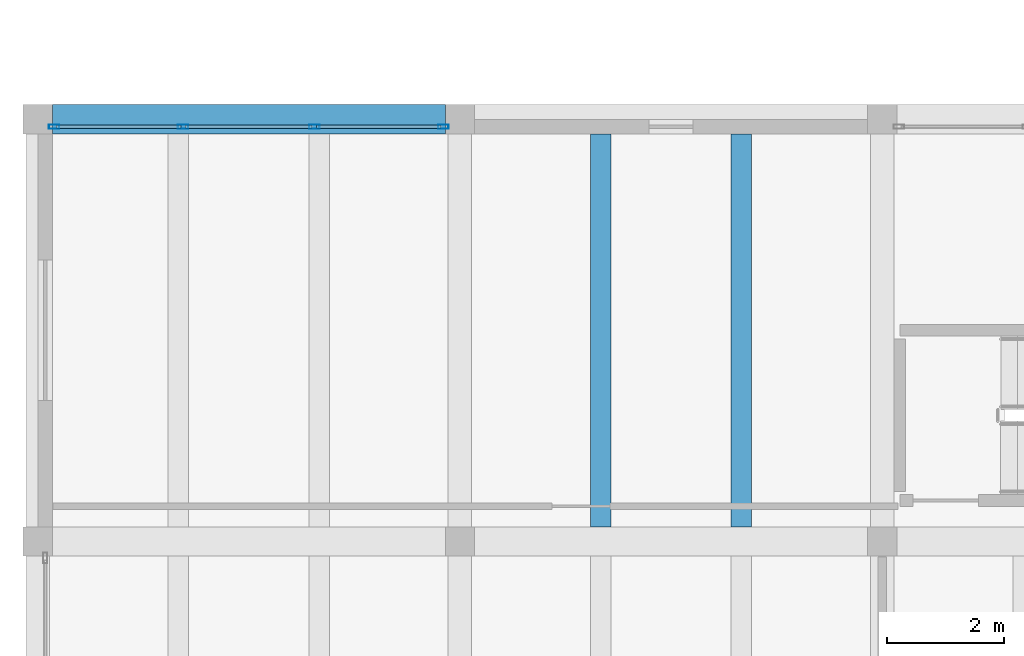
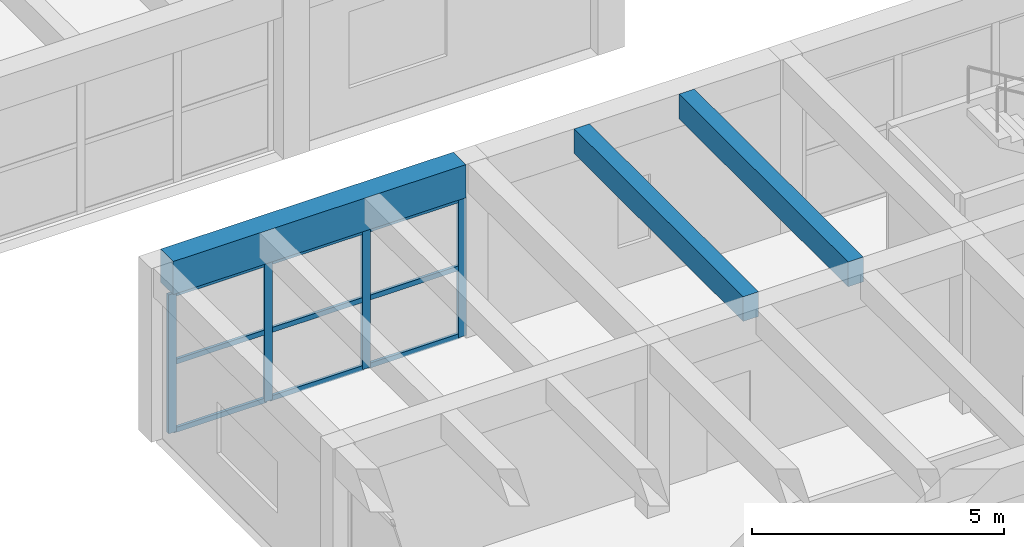
# One storey, part 15 of 153: 13 members, 3 beams, 1 element without a shape of its own.
"""IFC4 building model written with IfcOpenShell, lengths in metres."""

from ifc_helpers import new_model, si_unit, direction, frame, origin, origin_2d, place, context, subcontext, project, spatial, rectangle, hollow_rectangle, extrude, material, material_profile, profile_set, type_object, element, aggregate, save


model = new_model("IFC4")

# Units and contexts
model_context = context("Model", 3, precision=1e-05, world=origin(), true_north=direction((0.0, 1.0)))
body_context = subcontext(model_context, "Body", "Model", "MODEL_VIEW")
ifc_project = project(units=[si_unit("LENGTHUNIT", "METRE"), si_unit("AREAUNIT", "SQUARE_METRE"), si_unit("VOLUMEUNIT", "CUBIC_METRE"), si_unit("PLANEANGLEUNIT", "RADIAN"), si_unit("MASSUNIT", "GRAM", prefix="KILO")], contexts=[model_context])

# Site, building, storey
site_placement = place(None, origin())
site = spatial("IfcSite", under=ifc_project, at=site_placement, CompositionType="ELEMENT")
building_placement = place(site_placement, origin())
building = spatial("IfcBuilding", under=site, at=building_placement, Name="Bramvelor Terrace Health Centre", CompositionType="ELEMENT")
storey_placement = place(building_placement, frame((0.0, 0.0, 4.800048828125)))
storey = spatial("IfcBuildingStorey", under=building, at=storey_placement, Name="L02", CompositionType="ELEMENT", Elevation=4.800048828125)

# Beams
ifc_material_1 = material(Name="Concrete C40/50", Category="concrete")
ifc_material_profile_1 = material_profile(ifc_material_1, rectangle(XDim=0.5, YDim=0.800048828125, at=origin_2d()), Name="RC 500x800")
ifc_profile_set_1 = profile_set([ifc_material_profile_1], Name="Concrete C40/50")
beam_type_1 = type_object("IfcBeamType", Name="BM-RC-G800", PredefinedType="BEAM", material=ifc_profile_set_1)
beam_placement = place(storey_placement, frame((0.25, 64.800048828125, 3.800048828125), z_axis=(1.0, 0.0, 0.0), x_axis=(0.0, 1.0, 0.0)))
element("IfcBeam", 1, at=beam_placement, inside=storey, type_object=beam_type_1, Name="L02 Floor Girder", PredefinedType="BEAM", context=body_context, shape_type="SweptSolid", body=[
    extrude(rectangle(XDim=0.5, YDim=0.800048828125, at=origin_2d()), origin(), (0.0, 0.0, 1.0), 6.699951171875),
])
ifc_material_2 = material(Name="Concrete C40/50", Category="concrete")
ifc_material_profile_2 = material_profile(ifc_material_2, rectangle(XDim=0.35009765625, YDim=0.60009765625, at=origin_2d()), Name="RC 350x600")
ifc_profile_set_2 = profile_set([ifc_material_profile_2], Name="Concrete C40/50")
beam_type_2 = type_object("IfcBeamType", Name="BM-RC-J600", PredefinedType="JOIST", material=ifc_profile_set_2)
for number, where, z_axis, x_axis, name in (
    (2, (9.60009765625, 57.85009765625, 3.89990234375), (0.0, 1.0, 0.0), (-1.0, 0.0, 0.0), "L02 Secondary Floor Joist"),
    (3, (12.0, 57.85009765625, 3.89990234375), (0.0, 1.0, 0.0), (-1.0, 0.0, 0.0), "L02 Secondary Floor Joist"),
):
    element("IfcBeam", number, at=place(storey_placement, frame(where, z_axis=z_axis, x_axis=x_axis)), inside=storey, type_object=beam_type_2, Name=name, PredefinedType="JOIST", context=body_context, shape_type="SweptSolid", body=[
        extrude(rectangle(XDim=0.35009765625, YDim=0.60009765625, at=origin_2d()), origin(), (0.0, 0.0, 1.0), 6.699951171875),
    ])

# Curtain wall, members
ifc_material_3 = material(Name="Anodized aluminium and double low-E glass", Category="aluminium")
curtain_wall_type = type_object("IfcCurtainWallType", Name="CW-SYS-16", PredefinedType="NOTDEFINED", material=ifc_material_3)
curtain_wall_placement = place(storey_placement, origin())
curtain_wall = element("IfcCurtainWall", 4, at=curtain_wall_placement, inside=storey, type_object=curtain_wall_type, Name="L02 Unitized Curtain Wall 128", PredefinedType="NOTDEFINED")
ifc_material_4 = material(Name="Anodized aluminium 6063-T6", Category="aluminium")
ifc_material_profile_3 = material_profile(ifc_material_4, hollow_rectangle(XDim=0.074951171875, YDim=0.179931640625, WallThickness=0.00341796875, at=origin_2d()), Name="ALU-MUL 75x180x3.5")
ifc_profile_set_3 = profile_set([ifc_material_profile_3], Name="Anodized aluminium 6063-T6")
member_type_1 = type_object("IfcMemberType", Name="CW-MUL-65x180", PredefinedType="MULLION", material=ifc_profile_set_3)
member_1_placement = place(storey_placement, frame((0.282470703125, 64.669921875, 0.0), z_axis=(0.0, 0.0, 1.0), x_axis=(0.0, 1.0, 0.0)))
member_1 = element("IfcMember", 5, at=member_1_placement, type_object=member_type_1, Name="CW-16 mullion 1", PredefinedType="MULLION", context=body_context, shape_type="SweptSolid", body=[
    extrude(hollow_rectangle(XDim=0.074951171875, YDim=0.179931640625, WallThickness=0.00341796875, at=origin_2d()), origin(), (0.0, 0.0, 1.0), 3.35986328125),
])
member_2_placement = place(storey_placement, frame((2.481689453125, 64.669921875, 0.0), z_axis=(0.0, 0.0, 1.0), x_axis=(0.0, 1.0, 0.0)))
member_2 = element("IfcMember", 6, at=member_2_placement, type_object=member_type_1, Name="CW-16 mullion 2", PredefinedType="MULLION", context=body_context, shape_type="SweptSolid", body=[
    extrude(hollow_rectangle(XDim=0.074951171875, YDim=0.179931640625, WallThickness=0.00341796875, at=origin_2d()), origin(), (0.0, 0.0, 1.0), 3.35986328125),
])
member_3_placement = place(storey_placement, frame((4.71826171875, 64.669921875, 0.0), z_axis=(0.0, 0.0, 1.0), x_axis=(0.0, 1.0, 0.0)))
member_3 = element("IfcMember", 7, at=member_3_placement, type_object=member_type_1, Name="CW-16 mullion 3", PredefinedType="MULLION", context=body_context, shape_type="SweptSolid", body=[
    extrude(hollow_rectangle(XDim=0.074951171875, YDim=0.179931640625, WallThickness=0.00341796875, at=origin_2d()), origin(), (0.0, 0.0, 1.0), 3.35986328125),
])
member_4_placement = place(storey_placement, frame((6.91748046875, 64.669921875, 0.0), z_axis=(0.0, 0.0, 1.0), x_axis=(0.0, 1.0, 0.0)))
member_4 = element("IfcMember", 8, at=member_4_placement, type_object=member_type_1, Name="CW-16 mullion 4", PredefinedType="MULLION", context=body_context, shape_type="SweptSolid", body=[
    extrude(hollow_rectangle(XDim=0.074951171875, YDim=0.179931640625, WallThickness=0.00341796875, at=origin_2d()), origin(), (0.0, 0.0, 1.0), 3.35986328125),
])
ifc_material_5 = material(Name="Anodized aluminium 6063-T6", Category="aluminium")
ifc_material_profile_4 = material_profile(ifc_material_5, hollow_rectangle(XDim=0.06494140625, YDim=0.1201171875, WallThickness=0.0029296875, at=origin_2d()), Name="ALU-TRN 65x120x3.0")
ifc_profile_set_4 = profile_set([ifc_material_profile_4], Name="Anodized aluminium 6063-T6")
member_type_2 = type_object("IfcMemberType", Name="CW-TRN-65x150", PredefinedType="USERDEFINED", material=ifc_profile_set_4)
member_5_placement = place(storey_placement, frame((0.320068359375, 64.669921875, 0.032470703125), z_axis=(1.0, 0.0, 0.0), x_axis=(0.0, 1.0, 0.0)))
member_5 = element("IfcMember", 9, at=member_5_placement, type_object=member_type_2, Name="CW-16 transom 1.1", ObjectType="TRANSOM", PredefinedType="USERDEFINED", context=body_context, shape_type="SweptSolid", body=[
    extrude(hollow_rectangle(XDim=0.06494140625, YDim=0.1201171875, WallThickness=0.0029296875, at=origin_2d()), origin(), (0.0, 0.0, 1.0), 2.1240234375),
])
member_6_placement = place(storey_placement, frame((0.320068359375, 64.669921875, 1.679931640625), z_axis=(1.0, 0.0, 0.0), x_axis=(0.0, 1.0, 0.0)))
member_6 = element("IfcMember", 10, at=member_6_placement, type_object=member_type_2, Name="CW-16 transom 1.2", ObjectType="TRANSOM", PredefinedType="USERDEFINED", context=body_context, shape_type="SweptSolid", body=[
    extrude(hollow_rectangle(XDim=0.06494140625, YDim=0.1201171875, WallThickness=0.0029296875, at=origin_2d()), origin(), (0.0, 0.0, 1.0), 2.1240234375),
])
member_7_placement = place(storey_placement, frame((0.320068359375, 64.669921875, 3.327392578125), z_axis=(1.0, 0.0, 0.0), x_axis=(0.0, 1.0, 0.0)))
member_7 = element("IfcMember", 11, at=member_7_placement, type_object=member_type_2, Name="CW-16 transom 1.3", ObjectType="TRANSOM", PredefinedType="USERDEFINED", context=body_context, shape_type="SweptSolid", body=[
    extrude(hollow_rectangle(XDim=0.06494140625, YDim=0.1201171875, WallThickness=0.0029296875, at=origin_2d()), origin(), (0.0, 0.0, 1.0), 2.1240234375),
])
member_8_placement = place(storey_placement, frame((2.519287109375, 64.669921875, 0.032470703125), z_axis=(1.0, 0.0, 0.0), x_axis=(0.0, 1.0, 0.0)))
member_8 = element("IfcMember", 12, at=member_8_placement, type_object=member_type_2, Name="CW-16 transom 2.1", ObjectType="TRANSOM", PredefinedType="USERDEFINED", context=body_context, shape_type="SweptSolid", body=[
    extrude(hollow_rectangle(XDim=0.06494140625, YDim=0.1201171875, WallThickness=0.0029296875, at=origin_2d()), origin(), (0.0, 0.0, 1.0), 2.16162109375),
])
member_9_placement = place(storey_placement, frame((2.519287109375, 64.669921875, 1.679931640625), z_axis=(1.0, 0.0, 0.0), x_axis=(0.0, 1.0, 0.0)))
member_9 = element("IfcMember", 13, at=member_9_placement, type_object=member_type_2, Name="CW-16 transom 2.2", ObjectType="TRANSOM", PredefinedType="USERDEFINED", context=body_context, shape_type="SweptSolid", body=[
    extrude(hollow_rectangle(XDim=0.06494140625, YDim=0.1201171875, WallThickness=0.0029296875, at=origin_2d()), origin(), (0.0, 0.0, 1.0), 2.16162109375),
])
member_10_placement = place(storey_placement, frame((2.519287109375, 64.669921875, 3.327392578125), z_axis=(1.0, 0.0, 0.0), x_axis=(0.0, 1.0, 0.0)))
member_10 = element("IfcMember", 14, at=member_10_placement, type_object=member_type_2, Name="CW-16 transom 2.3", ObjectType="TRANSOM", PredefinedType="USERDEFINED", context=body_context, shape_type="SweptSolid", body=[
    extrude(hollow_rectangle(XDim=0.06494140625, YDim=0.1201171875, WallThickness=0.0029296875, at=origin_2d()), origin(), (0.0, 0.0, 1.0), 2.16162109375),
])
member_11_placement = place(storey_placement, frame((4.755859375, 64.669921875, 0.032470703125), z_axis=(1.0, 0.0, 0.0), x_axis=(0.0, 1.0, 0.0)))
member_11 = element("IfcMember", 15, at=member_11_placement, type_object=member_type_2, Name="CW-16 transom 3.1", ObjectType="TRANSOM", PredefinedType="USERDEFINED", context=body_context, shape_type="SweptSolid", body=[
    extrude(hollow_rectangle(XDim=0.06494140625, YDim=0.1201171875, WallThickness=0.0029296875, at=origin_2d()), origin(), (0.0, 0.0, 1.0), 2.1240234375),
])
member_12_placement = place(storey_placement, frame((4.755859375, 64.669921875, 1.679931640625), z_axis=(1.0, 0.0, 0.0), x_axis=(0.0, 1.0, 0.0)))
member_12 = element("IfcMember", 16, at=member_12_placement, type_object=member_type_2, Name="CW-16 transom 3.2", ObjectType="TRANSOM", PredefinedType="USERDEFINED", context=body_context, shape_type="SweptSolid", body=[
    extrude(hollow_rectangle(XDim=0.06494140625, YDim=0.1201171875, WallThickness=0.0029296875, at=origin_2d()), origin(), (0.0, 0.0, 1.0), 2.1240234375),
])
member_13_placement = place(storey_placement, frame((4.755859375, 64.669921875, 3.327392578125), z_axis=(1.0, 0.0, 0.0), x_axis=(0.0, 1.0, 0.0)))
member_13 = element("IfcMember", 17, at=member_13_placement, type_object=member_type_2, Name="CW-16 transom 3.3", ObjectType="TRANSOM", PredefinedType="USERDEFINED", context=body_context, shape_type="SweptSolid", body=[
    extrude(hollow_rectangle(XDim=0.06494140625, YDim=0.1201171875, WallThickness=0.0029296875, at=origin_2d()), origin(), (0.0, 0.0, 1.0), 2.1240234375),
])
aggregate(curtain_wall, [member_1, member_2, member_3, member_4, member_5, member_6, member_7, member_8, member_9, member_10, member_11, member_12, member_13])

save(model, "model.ifc")
